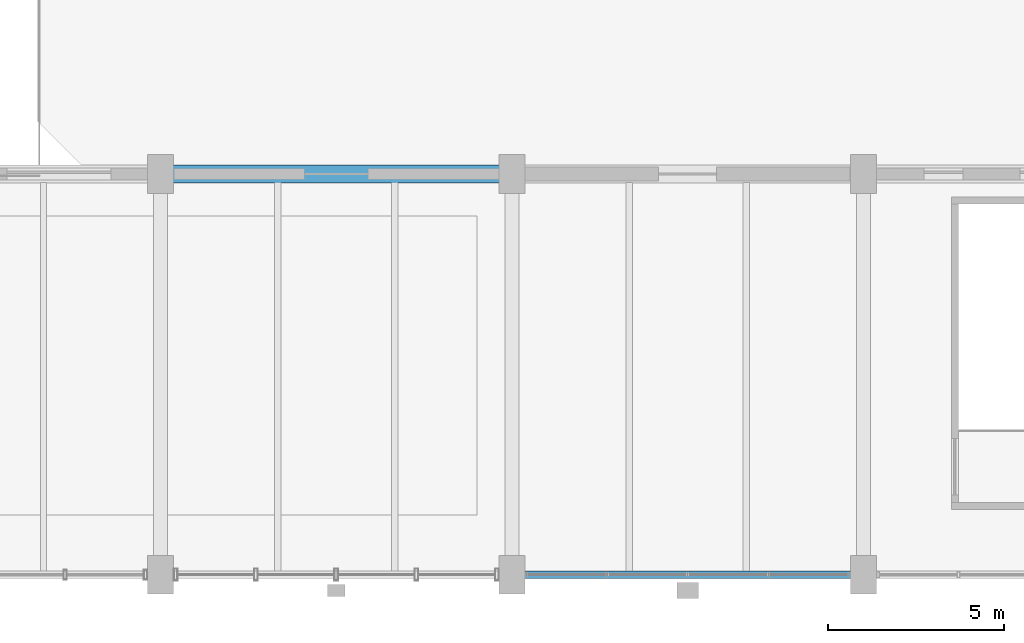
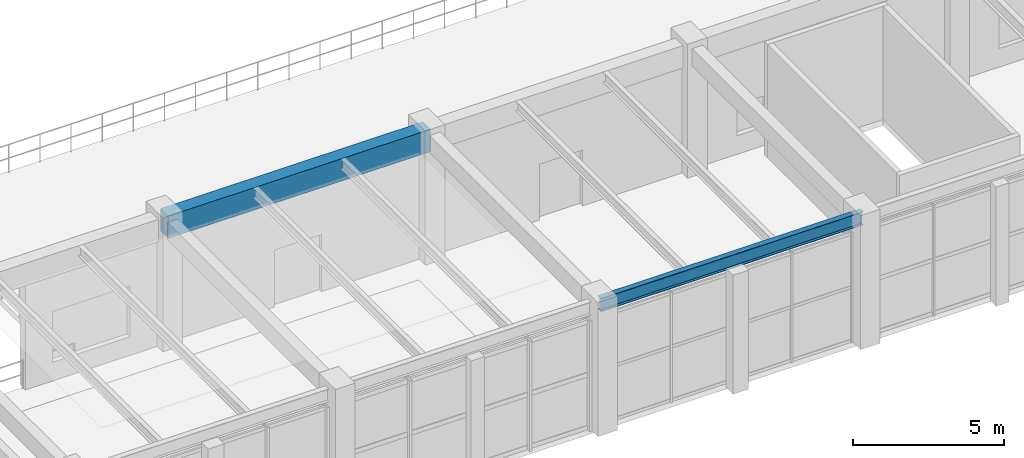
# One storey, part 30 of 106: 2 beams.
"""IFC4 building model written with IfcOpenShell, lengths in metres."""

from ifc_helpers import new_model, si_unit, direction, frame, origin, origin_2d, place, context, subcontext, project, spatial, rectangle, i_section, extrude, material, material_profile, profile_set, type_object, element, save


model = new_model("IFC4")

# Units and contexts
model_context = context("Model", 3, precision=1e-05, world=origin(), true_north=direction((0.0, 1.0)))
body_context = subcontext(model_context, "Body", "Model", "MODEL_VIEW")
ifc_project = project(units=[si_unit("LENGTHUNIT", "METRE"), si_unit("AREAUNIT", "SQUARE_METRE"), si_unit("VOLUMEUNIT", "CUBIC_METRE"), si_unit("PLANEANGLEUNIT", "RADIAN"), si_unit("MASSUNIT", "GRAM", prefix="KILO"), si_unit("POWERUNIT", "WATT"), si_unit("THERMODYNAMICTEMPERATUREUNIT", "KELVIN")], contexts=[model_context])

# Site, building, storey
site_placement = place(None, origin())
site = spatial("IfcSite", under=ifc_project, at=site_placement, CompositionType="ELEMENT")
building_placement = place(site_placement, origin())
building = spatial("IfcBuilding", under=site, at=building_placement, Name="Kelmbourne Parkland Aquatics Centre", CompositionType="ELEMENT")
storey_placement = place(building_placement, frame((0.0, 0.0, 5.39990234375)))
storey = spatial("IfcBuildingStorey", under=building, at=storey_placement, Name="L01", CompositionType="ELEMENT", Elevation=5.39990234375)

# Beams
ifc_material_1 = material(Name="Concrete C40/50", Category="concrete")
ifc_material_profile_1 = material_profile(ifc_material_1, rectangle(XDim=0.5, YDim=0.89990234375, at=origin_2d()), Name="RC 500x900")
ifc_profile_set_1 = profile_set([ifc_material_profile_1], Name="Concrete C40/50")
beam_type_1 = type_object("IfcBeamType", Name="BM-G03", PredefinedType="BEAM", material=ifc_profile_set_1)
beam_1_placement = place(storey_placement, frame((66.0, 12.199951171875, 4.710205078125), z_axis=(1.0, 0.0, 0.0), x_axis=(0.0, 1.0, 0.0)))
element("IfcBeam", 1, at=beam_1_placement, inside=storey, type_object=beam_type_1, Name="Primary girder I-J Grid 03 (L02_FOY)", PredefinedType="BEAM", context=body_context, shape_type="SweptSolid", body=[
    extrude(rectangle(XDim=0.5, YDim=0.89990234375, at=origin_2d()), origin(), (0.0, 0.0, 1.0), 10.0),
])
ifc_material_2 = material(Name="Structural steel AS/NZS 3679.1 Grade 300", Category="steel")
ifc_material_profile_2 = material_profile(ifc_material_2, i_section(OverallWidth=0.208984375, OverallDepth=0.532958984375, WebThickness=0.01025390625, FlangeThickness=0.015625, at=origin_2d()), Name="530UB92.4")
ifc_profile_set_2 = profile_set([ifc_material_profile_2], Name="Structural steel AS/NZS 3679.1 Grade 300")
beam_type_2 = type_object("IfcBeamType", Name="BM-SP02", PredefinedType="SPANDREL", material=ifc_profile_set_2)
beam_2_placement = place(storey_placement, frame((76.0, 0.800048828125, 4.8935546875), z_axis=(1.0, 0.0, 0.0), x_axis=(0.0, 1.0, 0.0)))
element("IfcBeam", 2, at=beam_2_placement, inside=storey, type_object=beam_type_2, Name="Perimeter spandrel J-K Grid 01 (L02_FOY)", PredefinedType="SPANDREL", context=body_context, shape_type="SweptSolid", body=[
    extrude(i_section(OverallWidth=0.208984375, OverallDepth=0.532958984375, WebThickness=0.01025390625, FlangeThickness=0.015625, at=origin_2d()), origin(), (0.0, 0.0, 1.0), 10.0),
])

save(model, "model.ifc")
